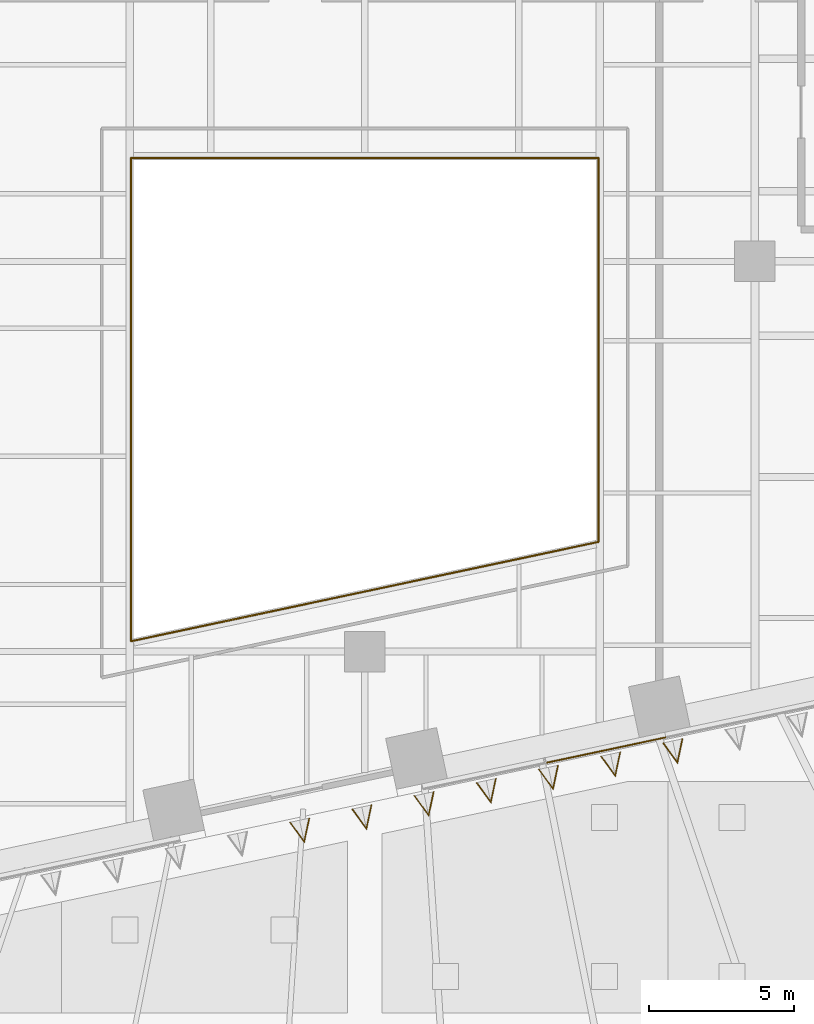
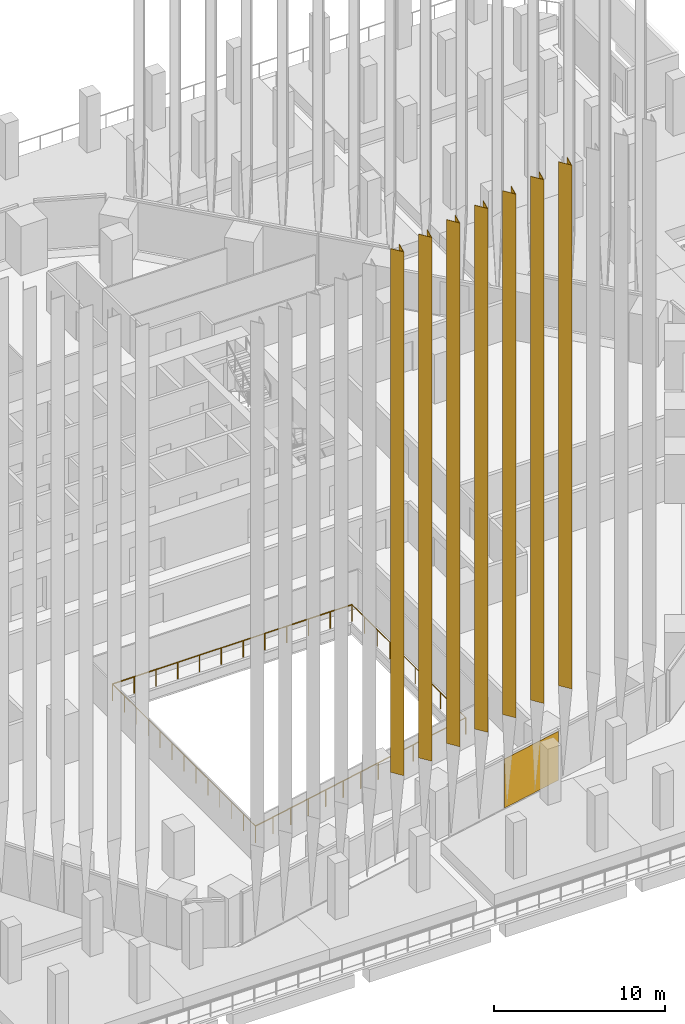
# One storey, part 32 of 51: 8 coverings, 4 railings, 1 element without a shape of its own.
"""IFC4 building model written with IfcOpenShell, lengths in metres."""

import ifcopenshell
import ifcopenshell.guid

model = None  # the IFC model being written
_history = None  # IfcOwnerHistory: only IFC2X3 demands one
_inside = {}  # id of a spatial element -> (the spatial element, [elements in it])
_under = {}  # id of a project, library or spatial element -> (it, [spatial elements below it])
_declared = {}  # id of a project -> (the project, [libraries it declares])
_typed = {}  # id of a type object -> (the type object, [elements of that type])
_made_of = {}  # id of a material, layer set ... -> (it, [elements and type objects made of it])


def new_model(schema):
    """Start an empty IFC model of exactly this schema.

    Asked for "IFC4X3", IfcOpenShell would pick the latest addendum, in which some entities
    have other attributes; the version numbers below select the first issue.
    IFC2X3 requires an IfcOwnerHistory on every rooted entity: one is made here for all.
    """
    global model, _history
    if schema == "IFC4X3":
        model = ifcopenshell.file(schema_version=(4, 3, 0, 0))
    else:
        model = ifcopenshell.file(schema=schema)
    _inside.clear()
    _under.clear()
    _declared.clear()
    _typed.clear()
    _made_of.clear()
    _history = None
    if model.schema == "IFC2X3":
        org = make("IfcOrganization", Name="unknown")
        user = make(
            "IfcPersonAndOrganization",
            ThePerson=make("IfcPerson", FamilyName="unknown"),
            TheOrganization=org,
        )
        app = make(
            "IfcApplication",
            ApplicationDeveloper=org,
            Version="unknown",
            ApplicationFullName="unknown",
            ApplicationIdentifier="unknown",
        )
        _history = make(
            "IfcOwnerHistory",
            OwningUser=user,
            OwningApplication=app,
            ChangeAction="ADDED",
            CreationDate=0,
        )
    return model


def make(cls, **values):
    """One entity of the class cls with the attributes given. An attribute that is None is left unset."""
    return model.create_entity(
        cls, **{name: value for name, value in values.items() if value is not None}
    )


def rooted(cls, **values):
    """An entity with a GlobalId (a new one), such as an element, a storey or a relation."""
    return make(cls, GlobalId=ifcopenshell.guid.new(), OwnerHistory=_history, **values)


def si_unit(unit_type, name, prefix=None):
    """IfcSIUnit, for example si_unit("LENGTHUNIT", "METRE", prefix="MILLI")."""
    return make("IfcSIUnit", UnitType=unit_type, Prefix=prefix, Name=name)


def assignment(units):
    """IfcUnitAssignment: the units of a project."""
    return None if units is None else make("IfcUnitAssignment", Units=units)


def point(xyz):
    """IfcCartesianPoint."""
    return None if xyz is None else make("IfcCartesianPoint", Coordinates=xyz)


def direction(xyz):
    """IfcDirection."""
    return None if xyz is None else make("IfcDirection", DirectionRatios=xyz)


def frame(location, z_axis=None, x_axis=None):
    """IfcAxis2Placement3D, a coordinate frame: its origin and axes. An axis left out is left unset."""
    return make(
        "IfcAxis2Placement3D",
        Location=point(location),
        Axis=direction(z_axis),
        RefDirection=direction(x_axis),
    )


def frame_2d(location, x_axis=None):
    """IfcAxis2Placement2D, a coordinate frame in the plane: its origin and x axis."""
    return make(
        "IfcAxis2Placement2D", Location=point(location), RefDirection=direction(x_axis)
    )


def origin():
    """The frame at (0, 0, 0) with its axes left unset."""
    return frame((0.0, 0.0, 0.0))


def origin_2d():
    """The frame at (0, 0) in the plane with its x axis left unset."""
    return frame_2d((0.0, 0.0))


def place(relative_to, where):
    """IfcLocalPlacement: puts the frame where relative to a parent placement (None: the world)."""
    return make(
        "IfcLocalPlacement", PlacementRelTo=relative_to, RelativePlacement=where
    )


def context(
    kind, dimensions, precision=None, world=None, true_north=None, identifier=None
):
    """IfcGeometricRepresentationContext, for example the 3D "Model" context."""
    return make(
        "IfcGeometricRepresentationContext",
        ContextIdentifier=identifier,
        ContextType=kind,
        CoordinateSpaceDimension=dimensions,
        Precision=precision,
        WorldCoordinateSystem=world,
        TrueNorth=true_north,
    )


def subcontext(parent, identifier, kind, view, scale=None):
    """IfcGeometricRepresentationSubContext, for example "Body" below "Model"."""
    return make(
        "IfcGeometricRepresentationSubContext",
        ContextIdentifier=identifier,
        ContextType=kind,
        ParentContext=parent,
        TargetScale=scale,
        TargetView=view,
    )


def project(units=None, contexts=None):
    """IfcProject with its units and contexts."""
    return rooted(
        "IfcProject",
        Name="project",
        RepresentationContexts=contexts,
        UnitsInContext=assignment(units),
    )


def spatial(cls, under=None, at=None, **own):
    """A site, building, storey or space (cls), placed at a placement, below another one or the project."""
    s = rooted(cls, ObjectPlacement=at, **own)
    if under is not None:
        _under.setdefault(under.id(), (under, []))[1].append(s)
    return s


def polyline(points):
    """IfcPolyline through the points."""
    return make("IfcPolyline", Points=[point(p) for p in points])


def profile(cls, at=None, kind="AREA", **sizes):
    """A parametric profile (cls). Its sizes go by their IFC names, for example OverallWidth=200.0."""
    return make(cls, ProfileType=kind, Position=at, **sizes)


def rectangle(**sizes):
    """IfcRectangleProfileDef."""
    return profile("IfcRectangleProfileDef", **sizes)


def circle(**sizes):
    """IfcCircleProfileDef."""
    return profile("IfcCircleProfileDef", **sizes)


def outline(outer, holes=None, kind="AREA"):
    """IfcArbitraryClosedProfileDef: a profile drawn as a closed curve; with holes, ...WithVoids."""
    if holes is None:
        return make("IfcArbitraryClosedProfileDef", ProfileType=kind, OuterCurve=outer)
    return make(
        "IfcArbitraryProfileDefWithVoids",
        ProfileType=kind,
        OuterCurve=outer,
        InnerCurves=holes,
    )


def extrude(swept, where, along, depth):
    """IfcExtrudedAreaSolid: the profile swept, set in the frame where, extruded along a direction by depth."""
    return make(
        "IfcExtrudedAreaSolid",
        SweptArea=swept,
        Position=where,
        ExtrudedDirection=direction(along),
        Depth=depth,
    )


def shape(context_of_items, identifier, shape_type, items):
    """IfcShapeRepresentation: the items that make up one representation, for example the "Body"."""
    return make(
        "IfcShapeRepresentation",
        ContextOfItems=context_of_items,
        RepresentationIdentifier=identifier,
        RepresentationType=shape_type,
        Items=items,
    )


def material(Name=None, Category=None):
    """IfcMaterial."""
    return make("IfcMaterial", Name=Name, Category=Category)


def layer(
    of_material, thickness, ventilated=None, Name=None, Category=None, Priority=None
):
    """IfcMaterialLayer: one layer of a wall or slab, of a material (None: an air gap)."""
    return make(
        "IfcMaterialLayer",
        Material=of_material,
        LayerThickness=thickness,
        IsVentilated=ventilated,
        Name=Name,
        Category=Category,
        Priority=Priority,
    )


def layer_set(layers, Name=None):
    """IfcMaterialLayerSet."""
    return make("IfcMaterialLayerSet", MaterialLayers=layers, LayerSetName=Name)


def material_profile(
    of_material, cross_section, Name=None, Category=None, Priority=None
):
    """IfcMaterialProfile: a cross section and its material."""
    return make(
        "IfcMaterialProfile",
        Name=Name,
        Material=of_material,
        Profile=cross_section,
        Priority=Priority,
        Category=Category,
    )


def profile_set(profiles, Name=None, composite=None):
    """IfcMaterialProfileSet."""
    return make(
        "IfcMaterialProfileSet",
        Name=Name,
        MaterialProfiles=profiles,
        CompositeProfile=composite,
    )


def made_of(thing, what):
    """Note that an element or type object is made of a material, layer set ...; save() writes the relation."""
    if what is not None:
        _made_of.setdefault(what.id(), (what, []))[1].append(thing)
    return thing


def type_object(cls, material=None, **own):
    """A type object (cls), such as IfcWallType, which elements share."""
    return made_of(rooted(cls, **own), material)


def element(
    cls,
    number,
    at=None,
    inside=None,
    cuts=None,
    type_object=None,
    material=None,
    context=None,
    identifier="Body",
    shape_type=None,
    held_by="IfcProductDefinitionShape",
    body=None,
    shapes=None,
    **own,
):
    """One element of the class cls, such as IfcWall. Its Tag is "e" and its number.

    at: its placement. inside: the storey or other place that contains it. cuts: it is an
    opening in that element (IfcRelVoidsElement). A single representation is given by context,
    identifier, shape_type and body (its items); several are given by shapes. held_by: the class
    of the entity that holds the representations. save() writes the other relations.
    """
    e = rooted(cls, Tag="e%d" % number, ObjectPlacement=at, **own)
    if body is not None:
        shapes = [shape(context, identifier, shape_type, body)]
    if shapes is not None:
        e.Representation = make(held_by, Representations=shapes)
    if inside is not None:
        _inside.setdefault(inside.id(), (inside, []))[1].append(e)
    if cuts is not None:
        rooted(
            "IfcRelVoidsElement", RelatingBuildingElement=cuts, RelatedOpeningElement=e
        )
    if type_object is not None:
        _typed.setdefault(type_object.id(), (type_object, []))[1].append(e)
    return made_of(e, material)


def aggregate(whole, parts):
    """IfcRelAggregates: a whole, such as a stair, and the parts it consists of."""
    return rooted("IfcRelAggregates", RelatingObject=whole, RelatedObjects=parts)


def save(model, path):
    """Write the relations noted so far, then the file.

    IfcRelAggregates (storeys below a building ...), IfcRelContainedInSpatialStructure (elements
    in a storey), IfcRelDefinesByType, IfcRelAssociatesMaterial and IfcRelDeclares: one each for
    every whole, place, type object, material and project.
    """
    for whole, parts in _under.values():
        aggregate(whole, parts)
    for where, things in _inside.values():
        rooted(
            "IfcRelContainedInSpatialStructure",
            RelatedElements=things,
            RelatingStructure=where,
        )
    for kind, things in _typed.values():
        rooted("IfcRelDefinesByType", RelatedObjects=things, RelatingType=kind)
    for what, things in _made_of.values():
        rooted("IfcRelAssociatesMaterial", RelatedObjects=things, RelatingMaterial=what)
    for by, libraries in _declared.values():
        rooted("IfcRelDeclares", RelatingContext=by, RelatedDefinitions=libraries)
    model.write(path)


model = new_model("IFC4")

# Units and contexts
model_context = context("Model", 3, precision=1e-05, world=origin(), true_north=direction((0.0, 1.0)))
body_context = subcontext(model_context, "Body", "Model", "MODEL_VIEW")
ifc_project = project(units=[si_unit("LENGTHUNIT", "METRE"), si_unit("AREAUNIT", "SQUARE_METRE"), si_unit("VOLUMEUNIT", "CUBIC_METRE"), si_unit("PLANEANGLEUNIT", "RADIAN"), si_unit("MASSUNIT", "GRAM", prefix="KILO")], contexts=[model_context])

# Site, building, storey
site_placement = place(None, origin())
site = spatial("IfcSite", under=ifc_project, at=site_placement, CompositionType="ELEMENT")
building_placement = place(site_placement, origin())
building = spatial("IfcBuilding", under=site, at=building_placement, Name="Isthmus Gate Tower", CompositionType="ELEMENT")
storey_placement = place(building_placement, frame((0.0, 0.0, 36.0)))
storey = spatial("IfcBuildingStorey", under=building, at=storey_placement, Name="L06", CompositionType="ELEMENT", Elevation=36.0)

# Railings
ifc_material_1 = material(Name="Laminated toughened glass balustrade with steel rail", Category="steel")
railing_type = type_object("IfcRailingType", Name="ATRIUM GUARD GLASS BALUSTRADE 1200", PredefinedType="GUARDRAIL", material=ifc_material_1)
railing_1_placement = place(storey_placement, frame((-8.080078125, -26.642822265625, 0.0)))
element("IfcRailing", 1, at=railing_1_placement, inside=storey, type_object=railing_type, Name="L06 atrium guard", PredefinedType="GUARDRAIL", context=body_context, shape_type="SweptSolid", body=[
    extrude(circle(Radius=0.02490234375, at=origin_2d()), frame((0.0, 0.0, 1.1748046875), z_axis=(0.0, 1.0, 0.0), x_axis=(-1.0, 0.0, 0.0)), (0.0, 0.0, 1.0), 16.722900390625),
    extrude(circle(Radius=0.02490234375, at=origin_2d()), origin(), (0.0, 0.0, 1.0), 1.14990234375),
    extrude(circle(Radius=0.02490234375, at=origin_2d()), frame((0.0, 1.3935546875, 0.0)), (0.0, 0.0, 1.0), 1.14990234375),
    extrude(circle(Radius=0.02490234375, at=origin_2d()), frame((0.0, 2.787109375, 0.0)), (0.0, 0.0, 1.0), 1.14990234375),
    extrude(circle(Radius=0.02490234375, at=origin_2d()), frame((0.0, 4.1806640625, 0.0)), (0.0, 0.0, 1.0), 1.14990234375),
    extrude(circle(Radius=0.02490234375, at=origin_2d()), frame((0.0, 5.57421875, 0.0)), (0.0, 0.0, 1.0), 1.14990234375),
    extrude(circle(Radius=0.02490234375, at=origin_2d()), frame((0.0, 6.9677734375, 0.0)), (0.0, 0.0, 1.0), 1.14990234375),
    extrude(circle(Radius=0.02490234375, at=origin_2d()), frame((0.0, 8.361328125, 0.0)), (0.0, 0.0, 1.0), 1.14990234375),
    extrude(circle(Radius=0.02490234375, at=origin_2d()), frame((0.0, 9.755126953125, 0.0)), (0.0, 0.0, 1.0), 1.14990234375),
    extrude(circle(Radius=0.02490234375, at=origin_2d()), frame((0.0, 11.148681640625, 0.0)), (0.0, 0.0, 1.0), 1.14990234375),
    extrude(circle(Radius=0.02490234375, at=origin_2d()), frame((0.0, 12.542236328125, 0.0)), (0.0, 0.0, 1.0), 1.14990234375),
    extrude(circle(Radius=0.02490234375, at=origin_2d()), frame((0.0, 13.935791015625, 0.0)), (0.0, 0.0, 1.0), 1.14990234375),
    extrude(circle(Radius=0.02490234375, at=origin_2d()), frame((0.0, 15.329345703125, 0.0)), (0.0, 0.0, 1.0), 1.14990234375),
    extrude(circle(Radius=0.02490234375, at=origin_2d()), frame((0.0, 16.722900390625, 0.0)), (0.0, 0.0, 1.0), 1.14990234375),
])
railing_2_placement = place(storey_placement, frame((-8.080078125, -9.919921875, 0.0)))
element("IfcRailing", 2, at=railing_2_placement, inside=storey, type_object=railing_type, Name="L06 atrium guard", PredefinedType="GUARDRAIL", context=body_context, shape_type="SweptSolid", body=[
    extrude(circle(Radius=0.02490234375, at=origin_2d()), frame((0.0, 0.0, 1.1748046875), z_axis=(1.0, 0.0, 0.0), x_axis=(0.0, 1.0, 0.0)), (0.0, 0.0, 1.0), 16.16015625),
    extrude(circle(Radius=0.02490234375, at=origin_2d()), origin(), (0.0, 0.0, 1.0), 1.14990234375),
    extrude(circle(Radius=0.02490234375, at=origin_2d()), frame((1.468994140625, 0.0, 0.0)), (0.0, 0.0, 1.0), 1.14990234375),
    extrude(circle(Radius=0.02490234375, at=origin_2d()), frame((2.938232421875, 0.0, 0.0)), (0.0, 0.0, 1.0), 1.14990234375),
    extrude(circle(Radius=0.02490234375, at=origin_2d()), frame((4.4072265625, 0.0, 0.0)), (0.0, 0.0, 1.0), 1.14990234375),
    extrude(circle(Radius=0.02490234375, at=origin_2d()), frame((5.87646484375, 0.0, 0.0)), (0.0, 0.0, 1.0), 1.14990234375),
    extrude(circle(Radius=0.02490234375, at=origin_2d()), frame((7.345458984375, 0.0, 0.0)), (0.0, 0.0, 1.0), 1.14990234375),
    extrude(circle(Radius=0.02490234375, at=origin_2d()), frame((8.814697265625, 0.0, 0.0)), (0.0, 0.0, 1.0), 1.14990234375),
    extrude(circle(Radius=0.02490234375, at=origin_2d()), frame((10.28369140625, 0.0, 0.0)), (0.0, 0.0, 1.0), 1.14990234375),
    extrude(circle(Radius=0.02490234375, at=origin_2d()), frame((11.7529296875, 0.0, 0.0)), (0.0, 0.0, 1.0), 1.14990234375),
    extrude(circle(Radius=0.02490234375, at=origin_2d()), frame((13.221923828125, 0.0, 0.0)), (0.0, 0.0, 1.0), 1.14990234375),
    extrude(circle(Radius=0.02490234375, at=origin_2d()), frame((14.691162109375, 0.0, 0.0)), (0.0, 0.0, 1.0), 1.14990234375),
    extrude(circle(Radius=0.02490234375, at=origin_2d()), frame((16.16015625, 0.0, 0.0)), (0.0, 0.0, 1.0), 1.14990234375),
])
railing_3_placement = place(storey_placement, frame((8.080078125, -9.919921875, 0.0)))
element("IfcRailing", 3, at=railing_3_placement, inside=storey, type_object=railing_type, Name="L06 atrium guard", PredefinedType="GUARDRAIL", context=body_context, shape_type="SweptSolid", body=[
    extrude(circle(Radius=0.02490234375, at=origin_2d()), frame((0.0, 0.0, 1.1748046875), z_axis=(0.0, -1.0, 0.0), x_axis=(1.0, 0.0, 0.0)), (0.0, 0.0, 1.0), 13.2880859375),
    extrude(circle(Radius=0.02490234375, at=origin_2d()), origin(), (0.0, 0.0, 1.0), 1.14990234375),
    extrude(circle(Radius=0.02490234375, at=origin_2d()), frame((0.0, -1.4765625, 0.0)), (0.0, 0.0, 1.0), 1.14990234375),
    extrude(circle(Radius=0.02490234375, at=origin_2d()), frame((0.0, -2.952880859375, 0.0)), (0.0, 0.0, 1.0), 1.14990234375),
    extrude(circle(Radius=0.02490234375, at=origin_2d()), frame((0.0, -4.429443359375, 0.0)), (0.0, 0.0, 1.0), 1.14990234375),
    extrude(circle(Radius=0.02490234375, at=origin_2d()), frame((0.0, -5.90576171875, 0.0)), (0.0, 0.0, 1.0), 1.14990234375),
    extrude(circle(Radius=0.02490234375, at=origin_2d()), frame((0.0, -7.38232421875, 0.0)), (0.0, 0.0, 1.0), 1.14990234375),
    extrude(circle(Radius=0.02490234375, at=origin_2d()), frame((0.0, -8.858642578125, 0.0)), (0.0, 0.0, 1.0), 1.14990234375),
    extrude(circle(Radius=0.02490234375, at=origin_2d()), frame((0.0, -10.335205078125, 0.0)), (0.0, 0.0, 1.0), 1.14990234375),
    extrude(circle(Radius=0.02490234375, at=origin_2d()), frame((0.0, -11.8115234375, 0.0)), (0.0, 0.0, 1.0), 1.14990234375),
    extrude(circle(Radius=0.02490234375, at=origin_2d()), frame((0.0, -13.2880859375, 0.0)), (0.0, 0.0, 1.0), 1.14990234375),
])
railing_4_placement = place(storey_placement, frame((8.080078125, -23.2080078125, 0.0)))
element("IfcRailing", 4, at=railing_4_placement, inside=storey, type_object=railing_type, Name="L06 atrium guard", PredefinedType="GUARDRAIL", context=body_context, shape_type="SweptSolid", body=[
    extrude(circle(Radius=0.02490234375, at=origin_2d()), frame((0.0, 0.0, 1.1748046875), z_axis=(-0.978149235358, -0.207904000366, 0.0), x_axis=(0.207904000366, -0.978149235358, 0.0)), (0.0, 0.0, 1.0), 16.521240234375),
    extrude(circle(Radius=0.02490234375, at=origin_2d()), origin(), (0.0, 0.0, 1.0), 1.14990234375),
    extrude(circle(Radius=0.02490234375, at=origin_2d()), frame((-1.3466796875, -0.2861328125, 0.0)), (0.0, 0.0, 1.0), 1.14990234375),
    extrude(circle(Radius=0.02490234375, at=origin_2d()), frame((-2.693359375, -0.572509765625, 0.0)), (0.0, 0.0, 1.0), 1.14990234375),
    extrude(circle(Radius=0.02490234375, at=origin_2d()), frame((-4.0400390625, -0.858642578125, 0.0)), (0.0, 0.0, 1.0), 1.14990234375),
    extrude(circle(Radius=0.02490234375, at=origin_2d()), frame((-5.38671875, -1.14501953125, 0.0)), (0.0, 0.0, 1.0), 1.14990234375),
    extrude(circle(Radius=0.02490234375, at=origin_2d()), frame((-6.7333984375, -1.43115234375, 0.0)), (0.0, 0.0, 1.0), 1.14990234375),
    extrude(circle(Radius=0.02490234375, at=origin_2d()), frame((-8.080078125, -1.71728515625, 0.0)), (0.0, 0.0, 1.0), 1.14990234375),
    extrude(circle(Radius=0.02490234375, at=origin_2d()), frame((-9.4267578125, -2.003662109375, 0.0)), (0.0, 0.0, 1.0), 1.14990234375),
    extrude(circle(Radius=0.02490234375, at=origin_2d()), frame((-10.7734375, -2.289794921875, 0.0)), (0.0, 0.0, 1.0), 1.14990234375),
    extrude(circle(Radius=0.02490234375, at=origin_2d()), frame((-12.1201171875, -2.576171875, 0.0)), (0.0, 0.0, 1.0), 1.14990234375),
    extrude(circle(Radius=0.02490234375, at=origin_2d()), frame((-13.466796875, -2.8623046875, 0.0)), (0.0, 0.0, 1.0), 1.14990234375),
    extrude(circle(Radius=0.02490234375, at=origin_2d()), frame((-14.8134765625, -3.148681640625, 0.0)), (0.0, 0.0, 1.0), 1.14990234375),
    extrude(circle(Radius=0.02490234375, at=origin_2d()), frame((-16.16015625, -3.434814453125, 0.0)), (0.0, 0.0, 1.0), 1.14990234375),
])

# Curtain wall, covering
ifc_material_2 = material(Name="Aluminium, pale champagne anodised", Category="aluminium")
ifc_layer_1 = layer(ifc_material_2, 0.199951171875)
ifc_layer_set_1 = layer_set([ifc_layer_1], Name="CW-1 UNITISED CURTAIN WALL 200 DEEP")
curtain_wall_type = type_object("IfcCurtainWallType", Name="CW-1 UNITISED CURTAIN WALL 200 DEEP", PredefinedType="NOTDEFINED", material=ifc_layer_set_1)
curtain_wall_placement = place(storey_placement, origin())
curtain_wall = element("IfcCurtainWall", 5, at=curtain_wall_placement, inside=storey, type_object=curtain_wall_type, Name="CW-1 S L06", PredefinedType="NOTDEFINED")
ifc_material_3 = material(Name="Aluminium composite panel, pale champagne anodised", Category="aluminium")
ifc_layer_2 = layer(ifc_material_3, 0.0400390625)
ifc_layer_set_2 = layer_set([ifc_layer_2], Name="CW-1 PALE METAL PANEL 40")
covering_type_1 = type_object("IfcCoveringType", Name="CW-1 PALE METAL PANEL 40", PredefinedType="CLADDING", material=ifc_layer_set_2)
covering_placement = place(storey_placement, frame((8.345703125, -30.41015625, 0.0), z_axis=(0.0, 0.0, 1.0), x_axis=(0.978147600734, 0.207911690818, 0.0)))
covering = element("IfcCovering", 6, at=covering_placement, type_object=covering_type_1, Name="CW-1 pale metal panel", PredefinedType="CLADDING", context=body_context, shape_type="SweptSolid", body=[
    extrude(rectangle(XDim=4.234619140625, YDim=0.0400390625, at=origin_2d()), origin(), (0.0, 0.0, 1.0), 3.5),
])
aggregate(curtain_wall, [covering])

# Coverings
ifc_material_4 = material(Name="Structural steel ASTM A572 Gr 50, white paint system", Category="steel")
ifc_material_profile = material_profile(ifc_material_4, outline(polyline([(0.0, -0.356201171875), (0.800048828125, 0.0), (0.0, 0.356201171875), (0.0, 0.3232421875), (0.726318359375, 0.0), (0.0, -0.3232421875), (0.0, -0.356201171875)])), Name="V800")
ifc_profile_set = profile_set([ifc_material_profile], Name="Structural steel ASTM A572 Gr 50, white paint system")
covering_type_2 = type_object("IfcCoveringType", Name="FIN V 800 DEEP", PredefinedType="CLADDING", material=ifc_profile_set)
for number, where, z_axis, x_axis, name in (
    (7, (-2.25341796875, -32.836669921875, 6.89990234375), (0.0, 0.0, 1.0), (0.207911690818, -0.978147600734, 0.0), "FIN"),
    (8, (-0.101318359375, -32.37939453125, 6.89990234375), (0.0, 0.0, 1.0), (0.207911690818, -0.978147600734, 0.0), "FIN"),
    (9, (2.050537109375, -31.921875, 6.89990234375), (0.0, 0.0, 1.0), (0.207911690818, -0.978147600734, 0.0), "FIN"),
    (10, (4.202392578125, -31.464599609375, 6.89990234375), (0.0, 0.0, 1.0), (0.207911690818, -0.978147600734, 0.0), "FIN"),
    (11, (6.354248046875, -31.007080078125, 6.89990234375), (0.0, 0.0, 1.0), (0.207911690818, -0.978147600734, 0.0), "FIN"),
    (12, (8.50634765625, -30.5498046875, 6.89990234375), (0.0, 0.0, 1.0), (0.207911690818, -0.978147600734, 0.0), "FIN"),
    (13, (10.658203125, -30.09228515625, 6.89990234375), (0.0, 0.0, 1.0), (0.207911690818, -0.978147600734, 0.0), "FIN"),
):
    element("IfcCovering", number, at=place(storey_placement, frame(where, z_axis=z_axis, x_axis=x_axis)), inside=storey, type_object=covering_type_2, Name=name, ObjectType="FIN", PredefinedType="CLADDING", context=body_context, shape_type="SweptSolid", body=[
        extrude(outline(polyline([(0.0, -0.356201171875), (0.800048828125, 0.0), (0.0, 0.356201171875), (0.0, 0.3232421875), (0.726318359375, 0.0), (0.0, -0.3232421875), (0.0, -0.356201171875)])), origin(), (0.0, 0.0, 1.0), 37.35009765625),
    ])

save(model, "model.ifc")
